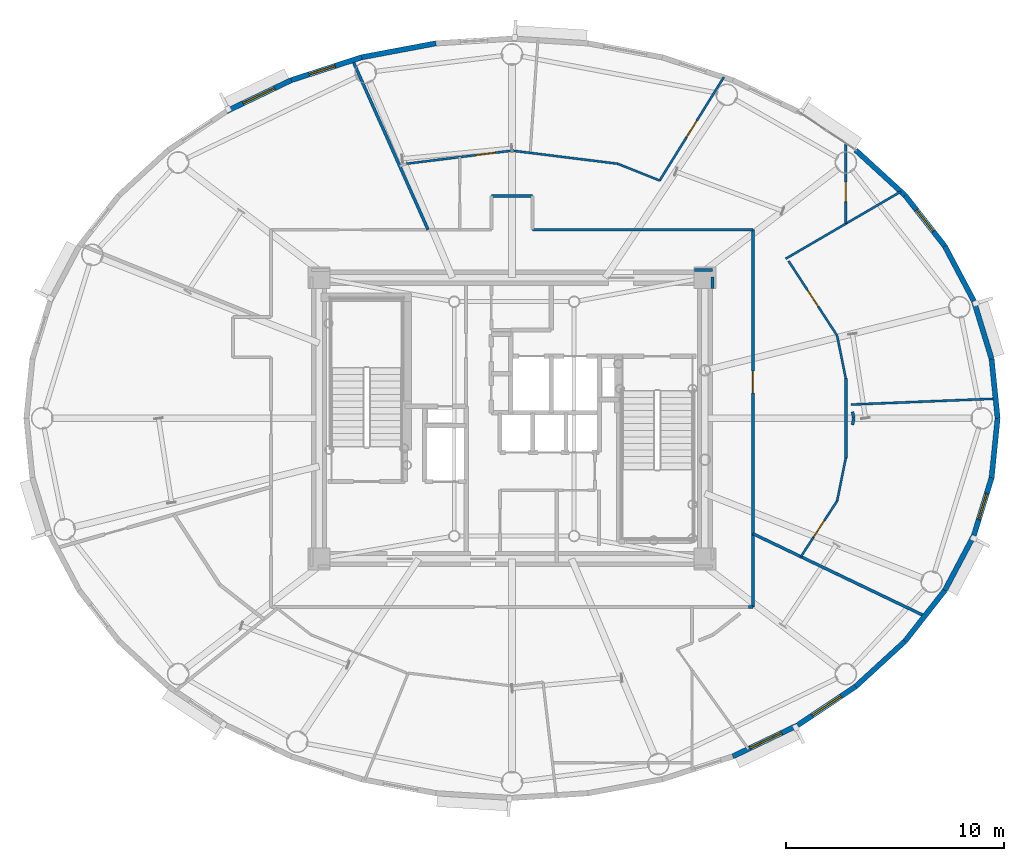
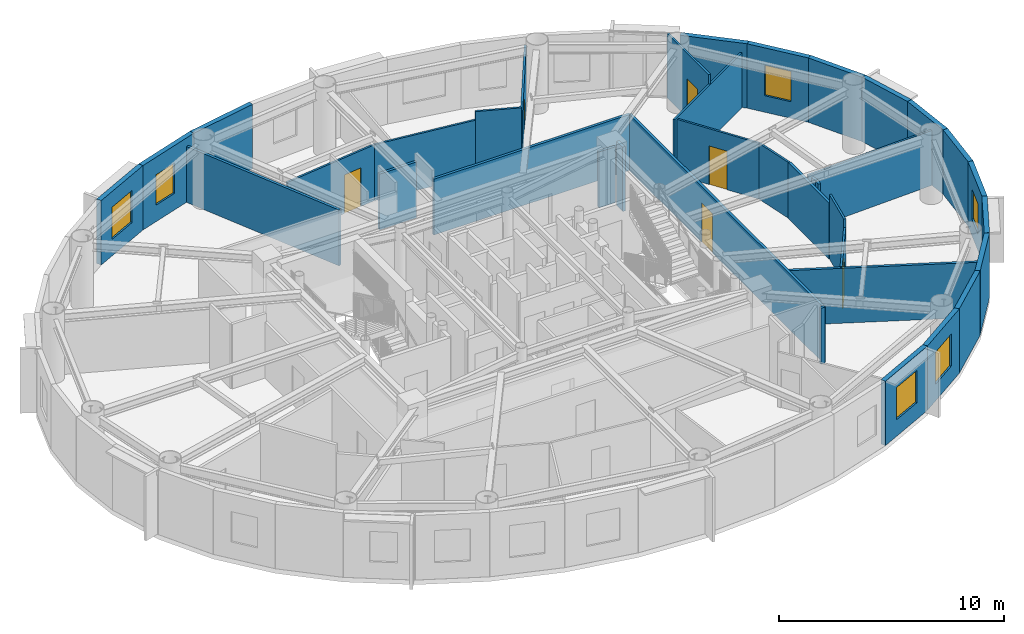
# One storey, part 9 of 17: 37 walls, 6 doors, 6 windows, 12 openings.
"""IFC4 building model written with IfcOpenShell, lengths in metres."""

from ifc_helpers import new_model, si_unit, direction, frame, frame_2d, origin, origin_2d, place, context, subcontext, project, spatial, rectangle, extrude, source, transform, mapped, material, layer, layer_set, type_object, element, fill, save


model = new_model("IFC4")

# Units and contexts
model_context = context("Model", 3, precision=1e-05, world=origin(), true_north=direction((0.0, 1.0)))
body_context = subcontext(model_context, "Body", "Model", "MODEL_VIEW")
ifc_project = project(units=[si_unit("LENGTHUNIT", "METRE"), si_unit("AREAUNIT", "SQUARE_METRE"), si_unit("VOLUMEUNIT", "CUBIC_METRE"), si_unit("PLANEANGLEUNIT", "RADIAN"), si_unit("MASSUNIT", "GRAM", prefix="KILO")], contexts=[model_context])

# Site, building, storey
site_placement = place(None, origin())
site = spatial("IfcSite", under=ifc_project, at=site_placement, CompositionType="ELEMENT")
building_placement = place(site_placement, origin())
building = spatial("IfcBuilding", under=site, at=building_placement, Name="Linh Dai School and Residence Tower", CompositionType="ELEMENT")
storey_placement = place(building_placement, frame((0.0, 0.0, 310.5)))
storey = spatial("IfcBuildingStorey", under=building, at=storey_placement, Name="L77", CompositionType="ELEMENT", Elevation=310.5)

# Walls
ifc_material_1 = material(Name="Precast Concrete B45 (C35/45)", Category="concrete")
ifc_layer_1 = layer(ifc_material_1, 0.239990234375)
ifc_layer_set_1 = layer_set([ifc_layer_1], Name="Precast Concrete B45 (C35/45)")
wall_type_1 = type_object("IfcWallType", Name="EW-TC-240", PredefinedType="SOLIDWALL", material=ifc_layer_set_1)
wall_1_placement = place(storey_placement, frame((58.001708984375, 29.718994140625, 0.0), z_axis=(0.0, 0.0, 1.0), x_axis=(0.099972526841, -0.99499019788, 0.0)))
element("IfcWall", 1, at=wall_1_placement, inside=storey, type_object=wall_type_1, Name="L77 Terracotta Exterior Wall 01", PredefinedType="SOLIDWALL", context=body_context, shape_type="SweptSolid", body=[
    extrude(rectangle(XDim=2.732666015625, YDim=0.239990234375, at=frame_2d((1.3662109375, 0.0))), origin(), (0.0, 0.0, 1.0), 3.5),
])
wall_2_placement = place(storey_placement, frame((57.188232421875, 32.372314453125, 0.0), z_axis=(0.0, 0.0, 1.0), x_axis=(0.2931213403, -0.956075248012, 0.0)))
element("IfcWall", 2, at=wall_2_placement, inside=storey, type_object=wall_type_1, Name="L77 Terracotta Exterior Wall 02", PredefinedType="SOLIDWALL", context=body_context, shape_type="SweptSolid", body=[
    extrude(rectangle(XDim=2.775146484375, YDim=0.239990234375, at=frame_2d((1.3876953125, 0.0))), origin(), (0.0, 0.0, 1.0), 3.5),
])
wall_3_placement = place(storey_placement, frame((55.853759765625, 34.894775390625, 0.0), z_axis=(0.0, 0.0, 1.0), x_axis=(0.467628269026, -0.883925224218, 0.0)))
element("IfcWall", 3, at=wall_3_placement, inside=storey, type_object=wall_type_1, Name="L77 Terracotta Exterior Wall 03", PredefinedType="SOLIDWALL", context=body_context, shape_type="SweptSolid", body=[
    extrude(rectangle(XDim=2.853759765625, YDim=0.239990234375, at=frame_2d((1.4267578125, 0.0))), origin(), (0.0, 0.0, 1.0), 3.5),
])

# Wall, opening, window
wall_4_placement = place(storey_placement, frame((54.0302734375, 37.224609375, 0.0), z_axis=(0.0, 0.0, 1.0), x_axis=(0.616337186556, -0.787482363275, 0.0)))
wall_4 = element("IfcWall", 4, at=wall_4_placement, inside=storey, type_object=wall_type_1, Name="L77 Terracotta Exterior Wall 04", PredefinedType="SOLIDWALL", context=body_context, shape_type="SweptSolid", body=[
    extrude(rectangle(XDim=2.95849609375, YDim=0.239990234375, at=frame_2d((1.479248046875, 0.0))), origin(), (0.0, 0.0, 1.0), 3.5),
])
opening_1_placement = place(wall_4_placement, frame((0.85400390625, 0.0, 0.89990234375)))
opening_1 = element("IfcOpeningElement", 5, at=opening_1_placement, cuts=wall_4, Name="Opening W3", PredefinedType="OPENING", context=body_context, shape_type="SweptSolid", body=[
    extrude(rectangle(XDim=1.25, YDim=1.64990234375, at=origin_2d()), frame((0.625, 0.1298828125, 0.824951171875), z_axis=(0.0, -1.0, 0.0), x_axis=(1.0, 0.0, 0.0)), (0.0, 0.0, 1.0), 0.260009765625),
])
ifc_material_2 = material(Name="Double Low-E Insulated Glazing", Category="glass")
window_type_1 = type_object("IfcWindowType", Name="WN-RES-1250x1650", PartitioningType="SINGLE_PANEL", PredefinedType="WINDOW", material=ifc_material_2)
shared_shape_1 = source(origin(), body_context, "Body", "SweptSolid", [
    extrude(rectangle(XDim=1.25, YDim=1.64990234375, at=origin_2d()), frame((0.625, 0.030029296875, 0.824951171875), z_axis=(0.0, -1.0, 0.0), x_axis=(1.0, 0.0, 0.0)), (0.0, 0.0, 1.0), 0.06005859375),
])
window_1_placement = place(opening_1_placement, origin())
window_1 = element("IfcWindow", 6, at=window_1_placement, inside=storey, type_object=window_type_1, Name="L77 Exterior Window 04.1", OverallHeight=1.64990234375, OverallWidth=1.25, PartitioningType="SINGLE_PANEL", PredefinedType="WINDOW", context=body_context, shape_type="MappedRepresentation", body=[
    mapped(shared_shape_1, transform((0.0, 0.0, 0.0), x_axis=(1.0, 0.0, 0.0), y_axis=(0.0, 1.0, 0.0), z_axis=(0.0, 0.0, 1.0), scale=1.0)),
])
fill(opening_1, window_1)

# Walls
wall_5_placement = place(storey_placement, frame((51.76220703125, 39.30419921875, 0.0), z_axis=(0.0, 0.0, 1.0), x_axis=(0.737068506972, -0.675818034703, 0.0)))
element("IfcWall", 7, at=wall_5_placement, inside=storey, type_object=wall_type_1, Name="L77 Terracotta Exterior Wall 05", PredefinedType="SOLIDWALL", context=body_context, shape_type="SweptSolid", body=[
    extrude(rectangle(XDim=3.0771484375, YDim=0.239990234375, at=frame_2d((1.53857421875, 0.0))), origin(), (0.0, 0.0, 1.0), 3.5),
])
wall_6_placement = place(storey_placement, frame((29.10888671875, 43.560302734375, 0.0), z_axis=(0.0, 0.0, 1.0), x_axis=(0.982782655757, 0.184765395959, 0.0)))
element("IfcWall", 8, at=wall_6_placement, inside=storey, type_object=wall_type_1, Name="L77 Terracotta Exterior Wall 12", PredefinedType="SOLIDWALL", context=body_context, shape_type="SweptSolid", body=[
    extrude(rectangle(XDim=3.4619140625, YDim=0.239990234375, at=frame_2d((1.73095703125, 0.0))), origin(), (0.0, 0.0, 1.0), 3.5),
])

# Wall, opening, window
wall_7_placement = place(storey_placement, frame((25.876953125, 42.51220703125, 0.0), z_axis=(0.0, 0.0, 1.0), x_axis=(0.95123136723, 0.308478339592, 0.0)))
wall_7 = element("IfcWall", 9, at=wall_7_placement, inside=storey, type_object=wall_type_1, Name="L77 Terracotta Exterior Wall 13", PredefinedType="SOLIDWALL", context=body_context, shape_type="SweptSolid", body=[
    extrude(rectangle(XDim=3.397705078125, YDim=0.239990234375, at=frame_2d((1.69873046875, 0.0))), origin(), (0.0, 0.0, 1.0), 3.5),
])
opening_2_placement = place(wall_7_placement, frame((0.86328125, 0.0, 0.89990234375)))
opening_2 = element("IfcOpeningElement", 10, at=opening_2_placement, cuts=wall_7, Name="Opening W3", PredefinedType="OPENING", context=body_context, shape_type="SweptSolid", body=[
    extrude(rectangle(XDim=1.25, YDim=1.64990234375, at=origin_2d()), frame((0.625, 0.1298828125, 0.824951171875), z_axis=(0.0, -1.0, 0.0), x_axis=(1.0, 0.0, 0.0)), (0.0, 0.0, 1.0), 0.260009765625),
])
window_2_placement = place(opening_2_placement, origin())
window_2 = element("IfcWindow", 11, at=window_2_placement, inside=storey, type_object=window_type_1, Name="L77 Exterior Window 13.1", OverallHeight=1.64990234375, OverallWidth=1.25, PartitioningType="SINGLE_PANEL", PredefinedType="WINDOW", context=body_context, shape_type="MappedRepresentation", body=[
    mapped(shared_shape_1, transform((0.0, 0.0, 0.0), x_axis=(1.0, 0.0, 0.0), y_axis=(0.0, 1.0, 0.0), z_axis=(0.0, 0.0, 1.0), scale=1.0)),
])
fill(opening_2, window_2)

wall_8_placement = place(storey_placement, frame((22.8955078125, 41.08154296875, 0.0), z_axis=(0.0, 0.0, 1.0), x_axis=(0.901573741254, 0.43262546051, 0.0)))
wall_8 = element("IfcWall", 12, at=wall_8_placement, inside=storey, type_object=wall_type_1, Name="L77 Terracotta Exterior Wall 14", PredefinedType="SOLIDWALL", context=body_context, shape_type="SweptSolid", body=[
    extrude(rectangle(XDim=3.306884765625, YDim=0.239990234375, at=frame_2d((1.6533203125, 0.0))), origin(), (0.0, 0.0, 1.0), 3.5),
])
opening_3_placement = place(wall_8_placement, frame((0.853515625, 0.0, 0.89990234375)))
opening_3 = element("IfcOpeningElement", 13, at=opening_3_placement, cuts=wall_8, Name="Opening W2", PredefinedType="OPENING", context=body_context, shape_type="SweptSolid", body=[
    extrude(rectangle(XDim=1.60009765625, YDim=1.75, at=origin_2d()), frame((0.800048828125, 0.1298828125, 0.875), z_axis=(0.0, -1.0, 0.0), x_axis=(1.0, 0.0, 0.0)), (0.0, 0.0, 1.0), 0.260009765625),
])
window_type_2 = type_object("IfcWindowType", Name="WN-RES-1600x1750", PartitioningType="DOUBLE_PANEL_VERTICAL", PredefinedType="WINDOW", material=ifc_material_2)
shared_shape_2 = source(origin(), body_context, "Body", "SweptSolid", [
    extrude(rectangle(XDim=1.60009765625, YDim=1.75, at=origin_2d()), frame((0.800048828125, 0.030029296875, 0.875), z_axis=(0.0, -1.0, 0.0), x_axis=(1.0, 0.0, 0.0)), (0.0, 0.0, 1.0), 0.06005859375),
])
window_3_placement = place(opening_3_placement, origin())
window_3 = element("IfcWindow", 14, at=window_3_placement, inside=storey, type_object=window_type_2, Name="L77 Exterior Window 14.1", OverallHeight=1.75, OverallWidth=1.60009765625, PartitioningType="DOUBLE_PANEL_VERTICAL", PredefinedType="WINDOW", context=body_context, shape_type="MappedRepresentation", body=[
    mapped(shared_shape_2, transform((0.0, 0.0, 0.0), x_axis=(1.0, 0.0, 0.0), y_axis=(0.0, 1.0, 0.0), z_axis=(0.0, 0.0, 1.0), scale=1.0)),
])
fill(opening_3, window_3)

wall_9_placement = place(storey_placement, frame((49.1044921875, 12.91845703125, 0.0), z_axis=(0.0, 0.0, 1.0), x_axis=(-0.901573741254, -0.43262546051, 0.0)))
wall_9 = element("IfcWall", 15, at=wall_9_placement, inside=storey, type_object=wall_type_1, Name="L77 Terracotta Exterior Wall 34", PredefinedType="SOLIDWALL", context=body_context, shape_type="SweptSolid", body=[
    extrude(rectangle(XDim=3.306884765625, YDim=0.239990234375, at=frame_2d((1.6533203125, 0.0))), origin(), (0.0, 0.0, 1.0), 3.5),
])
opening_4_placement = place(wall_9_placement, frame((0.81396484375, 0.0, 0.89990234375)))
opening_4 = element("IfcOpeningElement", 16, at=opening_4_placement, cuts=wall_9, Name="Opening W2", PredefinedType="OPENING", context=body_context, shape_type="SweptSolid", body=[
    extrude(rectangle(XDim=1.60009765625, YDim=1.75, at=origin_2d()), frame((0.800048828125, 0.1298828125, 0.875), z_axis=(0.0, -1.0, 0.0), x_axis=(1.0, 0.0, 0.0)), (0.0, 0.0, 1.0), 0.260009765625),
])
window_4_placement = place(opening_4_placement, origin())
window_4 = element("IfcWindow", 17, at=window_4_placement, inside=storey, type_object=window_type_2, Name="L77 Exterior Window 34.1", OverallHeight=1.75, OverallWidth=1.60009765625, PartitioningType="DOUBLE_PANEL_VERTICAL", PredefinedType="WINDOW", context=body_context, shape_type="MappedRepresentation", body=[
    mapped(shared_shape_2, transform((0.0, 0.0, 0.0), x_axis=(1.0, 0.0, 0.0), y_axis=(0.0, 1.0, 0.0), z_axis=(0.0, 0.0, 1.0), scale=1.0)),
])
fill(opening_4, window_4)

wall_10_placement = place(storey_placement, frame((51.76220703125, 14.69580078125, 0.0), z_axis=(0.0, 0.0, 1.0), x_axis=(-0.831250592635, -0.55589787933, 0.0)))
wall_10 = element("IfcWall", 18, at=wall_10_placement, inside=storey, type_object=wall_type_1, Name="L77 Terracotta Exterior Wall 35", PredefinedType="SOLIDWALL", context=body_context, shape_type="SweptSolid", body=[
    extrude(rectangle(XDim=3.197265625, YDim=0.239990234375, at=frame_2d((1.5986328125, 0.0))), origin(), (0.0, 0.0, 1.0), 3.5),
])
opening_5_placement = place(wall_10_placement, frame((0.798583984375, 0.0, 0.89990234375)))
opening_5 = element("IfcOpeningElement", 19, at=opening_5_placement, cuts=wall_10, Name="Opening W2", PredefinedType="OPENING", context=body_context, shape_type="SweptSolid", body=[
    extrude(rectangle(XDim=1.60009765625, YDim=1.75, at=origin_2d()), frame((0.800048828125, 0.1298828125, 0.875), z_axis=(0.0, -1.0, 0.0), x_axis=(1.0, 0.0, 0.0)), (0.0, 0.0, 1.0), 0.260009765625),
])
window_5_placement = place(opening_5_placement, origin())
window_5 = element("IfcWindow", 20, at=window_5_placement, inside=storey, type_object=window_type_2, Name="L77 Exterior Window 35.1", OverallHeight=1.75, OverallWidth=1.60009765625, PartitioningType="DOUBLE_PANEL_VERTICAL", PredefinedType="WINDOW", context=body_context, shape_type="MappedRepresentation", body=[
    mapped(shared_shape_2, transform((0.0, 0.0, 0.0), x_axis=(1.0, 0.0, 0.0), y_axis=(0.0, 1.0, 0.0), z_axis=(0.0, 0.0, 1.0), scale=1.0)),
])
fill(opening_5, window_5)

# Walls
wall_11_placement = place(storey_placement, frame((54.0302734375, 16.775390625, 0.0), z_axis=(0.0, 0.0, 1.0), x_axis=(-0.737068506972, -0.675818034703, 0.0)))
element("IfcWall", 21, at=wall_11_placement, inside=storey, type_object=wall_type_1, Name="L77 Terracotta Exterior Wall 36", PredefinedType="SOLIDWALL", context=body_context, shape_type="SweptSolid", body=[
    extrude(rectangle(XDim=3.0771484375, YDim=0.239990234375, at=frame_2d((1.53857421875, 0.0))), origin(), (0.0, 0.0, 1.0), 3.5),
])
wall_12_placement = place(storey_placement, frame((55.853759765625, 19.105224609375, 0.0), z_axis=(0.0, 0.0, 1.0), x_axis=(-0.616337186556, -0.787482363275, 0.0)))
element("IfcWall", 22, at=wall_12_placement, inside=storey, type_object=wall_type_1, Name="L77 Terracotta Exterior Wall 37", PredefinedType="SOLIDWALL", context=body_context, shape_type="SweptSolid", body=[
    extrude(rectangle(XDim=2.95849609375, YDim=0.239990234375, at=frame_2d((1.479248046875, 0.0))), origin(), (0.0, 0.0, 1.0), 3.5),
])
wall_13_placement = place(storey_placement, frame((57.188232421875, 21.627685546875, 0.0), z_axis=(0.0, 0.0, 1.0), x_axis=(-0.467628269026, -0.883925224218, 0.0)))
element("IfcWall", 23, at=wall_13_placement, inside=storey, type_object=wall_type_1, Name="L77 Terracotta Exterior Wall 38", PredefinedType="SOLIDWALL", context=body_context, shape_type="SweptSolid", body=[
    extrude(rectangle(XDim=2.853759765625, YDim=0.239990234375, at=frame_2d((1.4267578125, 0.0))), origin(), (0.0, 0.0, 1.0), 3.5),
])

# Wall, opening, window
wall_14_placement = place(storey_placement, frame((58.001708984375, 24.281005859375, 0.0), z_axis=(0.0, 0.0, 1.0), x_axis=(-0.2931213403, -0.956075248012, 0.0)))
wall_14 = element("IfcWall", 24, at=wall_14_placement, inside=storey, type_object=wall_type_1, Name="L77 Terracotta Exterior Wall 39", PredefinedType="SOLIDWALL", context=body_context, shape_type="SweptSolid", body=[
    extrude(rectangle(XDim=2.775146484375, YDim=0.239990234375, at=frame_2d((1.3876953125, 0.0))), origin(), (0.0, 0.0, 1.0), 3.5),
])
opening_6_placement = place(wall_14_placement, frame((0.7626953125, 0.0, 0.89990234375)))
opening_6 = element("IfcOpeningElement", 25, at=opening_6_placement, cuts=wall_14, Name="Opening W3", PredefinedType="OPENING", context=body_context, shape_type="SweptSolid", body=[
    extrude(rectangle(XDim=1.25, YDim=1.64990234375, at=origin_2d()), frame((0.625, 0.1298828125, 0.824951171875), z_axis=(0.0, -1.0, 0.0), x_axis=(1.0, 0.0, 0.0)), (0.0, 0.0, 1.0), 0.260009765625),
])
window_6_placement = place(opening_6_placement, origin())
window_6 = element("IfcWindow", 26, at=window_6_placement, inside=storey, type_object=window_type_1, Name="L77 Exterior Window 39.1", OverallHeight=1.64990234375, OverallWidth=1.25, PartitioningType="SINGLE_PANEL", PredefinedType="WINDOW", context=body_context, shape_type="MappedRepresentation", body=[
    mapped(shared_shape_1, transform((0.0, 0.0, 0.0), x_axis=(1.0, 0.0, 0.0), y_axis=(0.0, 1.0, 0.0), z_axis=(0.0, 0.0, 1.0), scale=1.0)),
])
fill(opening_6, window_6)

# Walls
wall_15_placement = place(storey_placement, frame((58.27490234375, 27.0, 0.0), z_axis=(0.0, 0.0, 1.0), x_axis=(-0.099972526841, -0.99499019788, 0.0)))
element("IfcWall", 27, at=wall_15_placement, inside=storey, type_object=wall_type_1, Name="L77 Terracotta Exterior Wall 40", PredefinedType="SOLIDWALL", context=body_context, shape_type="SweptSolid", body=[
    extrude(rectangle(XDim=2.732666015625, YDim=0.239990234375, at=frame_2d((1.3662109375, 0.0))), origin(), (0.0, 0.0, 1.0), 3.5),
])
ifc_material_3 = material(Name="Autoclaved Aerated Concrete Blockwork", Category="masonry")
ifc_layer_2 = layer(ifc_material_3, 0.135009765625)
ifc_layer_set_2 = layer_set([ifc_layer_2], Name="Autoclaved Aerated Concrete Blockwork")
wall_type_2 = type_object("IfcWallType", Name="IW-CORR-135-EI90", PredefinedType="PARTITIONING", material=ifc_layer_set_2)
wall_16_placement = place(storey_placement, frame((28.685546875, 43.428466796875, 0.0), z_axis=(0.0, 0.0, 1.0), x_axis=(0.406736980157, -0.913545307564, 0.0)))
element("IfcWall", 28, at=wall_16_placement, inside=storey, type_object=wall_type_2, Name="L77 Interior Partition Wall 016", PredefinedType="PARTITIONING", context=body_context, shape_type="SweptSolid", body=[
    extrude(rectangle(XDim=8.514404296875, YDim=0.135009765625, at=frame_2d((4.25732421875, 0.0))), origin(), (0.0, 0.0, 1.0), 3.034912109375),
])
wall_17_placement = place(storey_placement, frame((35.050048828125, 37.199951171875, 0.0), z_axis=(0.0, 0.0, 1.0), x_axis=(1.0, 0.0, 0.0)))
element("IfcWall", 29, at=wall_17_placement, inside=storey, type_object=wall_type_2, Name="L77 Interior Partition Wall 036", PredefinedType="PARTITIONING", context=body_context, shape_type="SweptSolid", body=[
    extrude(rectangle(XDim=1.89990234375, YDim=0.135009765625, at=frame_2d((0.949951171875, 0.0))), origin(), (0.0, 0.0, 1.0), 3.034912109375),
])
wall_18_placement = place(storey_placement, frame((36.949951171875, 35.64990234375, 0.0), z_axis=(0.0, 0.0, 1.0), x_axis=(1.0, 0.0, 0.0)))
element("IfcWall", 30, at=wall_18_placement, inside=storey, type_object=wall_type_2, Name="L77 Interior Partition Wall 048", PredefinedType="PARTITIONING", context=body_context, shape_type="SweptSolid", body=[
    extrude(rectangle(XDim=10.10009765625, YDim=0.135009765625, at=frame_2d((5.050048828125, 0.0))), origin(), (0.0, 0.0, 1.0), 3.034912109375),
])
wall_19_placement = place(storey_placement, frame((46.855224609375, 18.35009765625, 0.0), z_axis=(0.0, 0.0, 1.0), x_axis=(1.0, 0.0, 0.0)))
element("IfcWall", 31, at=wall_19_placement, inside=storey, type_object=wall_type_2, Name="L77 Interior Partition Wall 066", PredefinedType="PARTITIONING", context=body_context, shape_type="SweptSolid", body=[
    extrude(rectangle(XDim=0.19482421875, YDim=0.135009765625, at=frame_2d((0.097412109375, 0.0))), origin(), (0.0, 0.0, 1.0), 3.034912109375),
])

# Wall, opening, door
wall_20_placement = place(storey_placement, frame((47.050048828125, 18.35009765625, 0.0), z_axis=(0.0, 0.0, 1.0), x_axis=(0.0, 1.0, 0.0)))
wall_20 = element("IfcWall", 32, at=wall_20_placement, inside=storey, type_object=wall_type_2, Name="L77 Interior Partition Wall 067", PredefinedType="PARTITIONING", context=body_context, shape_type="SweptSolid", body=[
    extrude(rectangle(XDim=17.2998046875, YDim=0.135009765625, at=frame_2d((8.64990234375, 0.0))), origin(), (0.0, 0.0, 1.0), 3.034912109375),
])
opening_7_placement = place(wall_20_placement, frame((9.80810546875, 0.0, 0.0)))
opening_7 = element("IfcOpeningElement", 33, at=opening_7_placement, cuts=wall_20, Name="Opening D03", PredefinedType="OPENING", context=body_context, shape_type="SweptSolid", body=[
    extrude(rectangle(XDim=1.0, YDim=2.14990234375, at=origin_2d()), frame((0.5, 0.07763671875, 1.074951171875), z_axis=(0.0, -1.0, 0.0), x_axis=(1.0, 0.0, 0.0)), (0.0, 0.0, 1.0), 0.155029296875),
])
ifc_material_4 = material(Name="Fire-Rated Solid Timber Entrance Door", Category="wood")
door_type_1 = type_object("IfcDoorType", Name="DR-FLAT-1000x2150-FD60S", OperationType="NOTDEFINED", PredefinedType="DOOR", material=ifc_material_4)
shared_shape_3 = source(origin(), body_context, "Body", "SweptSolid", [
    extrude(rectangle(XDim=1.0, YDim=2.14990234375, at=origin_2d()), frame((0.5, 0.02490234375, 1.074951171875), z_axis=(0.0, -1.0, 0.0), x_axis=(1.0, 0.0, 0.0)), (0.0, 0.0, 1.0), 0.050048828125),
])
door_1_placement = place(opening_7_placement, origin())
door_1 = element("IfcDoor", 34, at=door_1_placement, inside=storey, type_object=door_type_1, Name="L77 U7702 Apartment Entrance Door", OperationType="SINGLE_SWING_RIGHT", OverallHeight=2.14990234375, OverallWidth=1.0, PredefinedType="DOOR", context=body_context, shape_type="MappedRepresentation", body=[
    mapped(shared_shape_3, transform((0.0, 0.0, 0.0), x_axis=(1.0, 0.0, 0.0), y_axis=(0.0, 1.0, 0.0), z_axis=(0.0, 0.0, 1.0), scale=1.0)),
])
fill(opening_7, door_1)

# Walls
wall_21_placement = place(storey_placement, frame((47.050048828125, 21.7060546875, 0.0), z_axis=(0.0, 0.0, 1.0), x_axis=(0.901842087785, -0.432065792096, 0.0)))
element("IfcWall", 35, at=wall_21_placement, inside=storey, type_object=wall_type_2, Name="L77 Interior Partition Wall 068", PredefinedType="PARTITIONING", context=body_context, shape_type="SweptSolid", body=[
    extrude(rectangle(XDim=8.74658203125, YDim=0.135009765625, at=frame_2d((4.373291015625, 0.0))), origin(), (0.0, 0.0, 1.0), 2.985107421875),
])
wall_22_placement = place(storey_placement, frame((45.199951171875, 33.800048828125, 0.0), z_axis=(0.0, 0.0, 1.0), x_axis=(-1.0, 0.0, 0.0)))
element("IfcWall", 36, at=wall_22_placement, inside=storey, type_object=wall_type_2, Name="L77 Interior Partition Wall 079", PredefinedType="PARTITIONING", context=body_context, shape_type="SweptSolid", body=[
    extrude(rectangle(XDim=0.83984375, YDim=0.135009765625, at=frame_2d((0.419921875, 0.0))), origin(), (0.0, 0.0, 1.0), 3.034912109375),
])
wall_23_placement = place(storey_placement, frame((45.199951171875, 32.9599609375, 0.0), z_axis=(0.0, 0.0, 1.0), x_axis=(0.0, 1.0, 0.0)))
element("IfcWall", 37, at=wall_23_placement, inside=storey, type_object=wall_type_2, Name="L77 Interior Partition Wall 086", PredefinedType="PARTITIONING", context=body_context, shape_type="SweptSolid", body=[
    extrude(rectangle(XDim=0.532470703125, YDim=0.135009765625, at=frame_2d((0.26611328125, 0.0))), origin(), (0.0, 0.0, 1.0), 3.5),
])
wall_24_placement = place(storey_placement, frame((51.311279296875, 28.822509765625, 0.0), z_axis=(0.0, 0.0, 1.0), x_axis=(0.0, -1.0, 0.0)))
element("IfcWall", 38, at=wall_24_placement, inside=storey, type_object=wall_type_2, Name="L77 Interior Partition Wall 090", PredefinedType="PARTITIONING", context=body_context, shape_type="SweptSolid", body=[
    extrude(rectangle(XDim=3.64501953125, YDim=0.135009765625, at=frame_2d((1.822509765625, 0.0))), origin(), (0.0, 0.0, 1.0), 3.034912109375),
])
for number, where, z_axis, x_axis, name in (
    (39, (51.618896484375, 26.69775390625, 0.0), (0.0, 0.0, 1.0), (0.197942960462, 0.980213540206, 0.0), "L77 Interior Partition Wall 091"),
    (40, (51.679931640625, 27.0, 0.0), (0.0, 0.0, 1.0), (-0.197942960462, 0.980213540206, 0.0), "L77 Interior Partition Wall 092"),
):
    element("IfcWall", number, at=place(storey_placement, frame(where, z_axis=z_axis, x_axis=x_axis)), inside=storey, type_object=wall_type_2, Name=name, PredefinedType="PARTITIONING", context=body_context, shape_type="SweptSolid", body=[
        extrude(rectangle(XDim=0.308349609375, YDim=0.135009765625, at=frame_2d((0.154296875, 0.0))), origin(), (0.0, 0.0, 1.0), 3.034912109375),
    ])

# Wall, opening, door
ifc_material_5 = material(Name="Gypsum Plasterboard Acoustic Stud Partition", Category="masonry")
ifc_layer_3 = layer(ifc_material_5, 0.10009765625)
ifc_layer_set_3 = layer_set([ifc_layer_3], Name="Gypsum Plasterboard Acoustic Stud Partition")
wall_type_3 = type_object("IfcWallType", Name="IW-UNIT-100", PredefinedType="PARTITIONING", material=ifc_layer_set_3)
wall_25_placement = place(storey_placement, frame((31.154541015625, 38.677001953125, 0.0), z_axis=(0.0, 0.0, 1.0), x_axis=(0.99239360053, 0.123105408601, 0.0)))
wall_25 = element("IfcWall", 41, at=wall_25_placement, inside=storey, type_object=wall_type_3, Name="L77 Interior Partition Wall 021", PredefinedType="PARTITIONING", context=body_context, shape_type="SweptSolid", body=[
    extrude(rectangle(XDim=4.882568359375, YDim=0.10009765625, at=frame_2d((2.44140625, 0.0))), origin(), (0.0, 0.0, 1.0), 3.034912109375),
])
opening_8_placement = place(wall_25_placement, frame((3.202880859375, 0.0, 0.0)))
opening_8 = element("IfcOpeningElement", 42, at=opening_8_placement, cuts=wall_25, Name="Opening D05", PredefinedType="OPENING", context=body_context, shape_type="SweptSolid", body=[
    extrude(rectangle(XDim=0.89990234375, YDim=2.10009765625, at=origin_2d()), frame((0.449951171875, 0.06005859375, 1.050048828125), z_axis=(0.0, -1.0, 0.0), x_axis=(1.0, 0.0, 0.0)), (0.0, 0.0, 1.0), 0.1201171875),
])
ifc_material_6 = material(Name="Engineered Timber Internal Door", Category="wood")
door_type_2 = type_object("IfcDoorType", Name="DR-INT-900x2100", OperationType="NOTDEFINED", PredefinedType="DOOR", material=ifc_material_6)
shared_shape_4 = source(origin(), body_context, "Body", "SweptSolid", [
    extrude(rectangle(XDim=0.89990234375, YDim=2.10009765625, at=origin_2d()), frame((0.449951171875, 0.02490234375, 1.050048828125), z_axis=(0.0, -1.0, 0.0), x_axis=(1.0, 0.0, 0.0)), (0.0, 0.0, 1.0), 0.050048828125),
])
door_2_placement = place(opening_8_placement, origin())
door_2 = element("IfcDoor", 43, at=door_2_placement, inside=storey, type_object=door_type_2, Name="L77 Apartment U7702 Bedroom 4 Door", OperationType="SINGLE_SWING_RIGHT", OverallHeight=2.10009765625, OverallWidth=0.89990234375, PredefinedType="DOOR", context=body_context, shape_type="MappedRepresentation", body=[
    mapped(shared_shape_4, transform((0.0, 0.0, 0.0), x_axis=(1.0, 0.0, 0.0), y_axis=(0.0, 1.0, 0.0), z_axis=(0.0, 0.0, 1.0), scale=1.0)),
])
fill(opening_8, door_2)

# Walls
wall_26_placement = place(storey_placement, frame((36.0, 39.278076171875, 0.0), z_axis=(0.0, 0.0, 1.0), x_axis=(0.992394358254, -0.123099300182, 0.0)))
element("IfcWall", 44, at=wall_26_placement, inside=storey, type_object=wall_type_3, Name="L77 Interior Partition Wall 045", PredefinedType="PARTITIONING", context=body_context, shape_type="SweptSolid", body=[
    extrude(rectangle(XDim=4.8828125, YDim=0.10009765625, at=frame_2d((2.44140625, 0.0))), origin(), (0.0, 0.0, 1.0), 3.034912109375),
])
wall_27_placement = place(storey_placement, frame((40.845458984375, 38.677001953125, 0.0), z_axis=(0.0, 0.0, 1.0), x_axis=(0.928792693453, -0.370599693184, 0.0)))
element("IfcWall", 45, at=wall_27_placement, inside=storey, type_object=wall_type_3, Name="L77 Interior Partition Wall 059", PredefinedType="PARTITIONING", context=body_context, shape_type="SweptSolid", body=[
    extrude(rectangle(XDim=2.07568359375, YDim=0.10009765625, at=frame_2d((1.037841796875, 0.0))), origin(), (0.0, 0.0, 1.0), 3.5),
])

# Wall, opening, door
wall_28_placement = place(storey_placement, frame((42.7734375, 37.90771484375, 0.0), z_axis=(0.0, 0.0, 1.0), x_axis=(0.527527282505, 0.849538089913, 0.0)))
wall_28 = element("IfcWall", 46, at=wall_28_placement, inside=storey, type_object=wall_type_3, Name="L77 Interior Partition Wall 062", PredefinedType="PARTITIONING", context=body_context, shape_type="SweptSolid", body=[
    extrude(rectangle(XDim=5.580810546875, YDim=0.10009765625, at=frame_2d((2.79052734375, 0.0))), origin(), (0.0, 0.0, 1.0), 2.985107421875),
])
opening_9_placement = place(wall_28_placement, frame((2.34033203125, 0.0, 0.0)))
opening_9 = element("IfcOpeningElement", 47, at=opening_9_placement, cuts=wall_28, Name="Opening D05", PredefinedType="OPENING", context=body_context, shape_type="SweptSolid", body=[
    extrude(rectangle(XDim=0.89990234375, YDim=2.10009765625, at=origin_2d()), frame((0.449951171875, 0.06005859375, 1.050048828125), z_axis=(0.0, -1.0, 0.0), x_axis=(1.0, 0.0, 0.0)), (0.0, 0.0, 1.0), 0.1201171875),
])
door_3_placement = place(opening_9_placement, origin())
door_3 = element("IfcDoor", 48, at=door_3_placement, inside=storey, type_object=door_type_2, Name="L77 Apartment U7702 Principal Bedroom 3 Door", OperationType="SINGLE_SWING_LEFT", OverallHeight=2.10009765625, OverallWidth=0.89990234375, PredefinedType="DOOR", context=body_context, shape_type="MappedRepresentation", body=[
    mapped(shared_shape_4, transform((0.0, 0.0, 0.0), x_axis=(1.0, 0.0, 0.0), y_axis=(0.0, 1.0, 0.0), z_axis=(0.0, 0.0, 1.0), scale=1.0)),
])
fill(opening_9, door_3)

# Wall
wall_29_placement = place(storey_placement, frame((48.554931640625, 34.319091796875, 0.0), z_axis=(0.0, 0.0, 1.0), x_axis=(0.863923501635, 0.503623056783, 0.0)))
element("IfcWall", 49, at=wall_29_placement, inside=storey, type_object=wall_type_3, Name="L77 Interior Partition Wall 069", PredefinedType="PARTITIONING", context=body_context, shape_type="SweptSolid", body=[
    extrude(rectangle(XDim=6.1220703125, YDim=0.10009765625, at=frame_2d((3.06103515625, 0.0))), origin(), (0.0, 0.0, 1.0), 2.985107421875),
])

# Wall, opening, door
wall_30_placement = place(storey_placement, frame((48.685302734375, 34.216796875, 0.0), z_axis=(0.0, 0.0, 1.0), x_axis=(0.545435886628, -0.838152547916, 0.0)))
wall_30 = element("IfcWall", 50, at=wall_30_placement, inside=storey, type_object=wall_type_3, Name="L77 Interior Partition Wall 070", PredefinedType="PARTITIONING", context=body_context, shape_type="SweptSolid", body=[
    extrude(rectangle(XDim=4.08349609375, YDim=0.10009765625, at=frame_2d((2.041748046875, 0.0))), origin(), (0.0, 0.0, 1.0), 3.034912109375),
])
opening_10_placement = place(wall_30_placement, frame((1.591796875, 0.0, 0.0)))
opening_10 = element("IfcOpeningElement", 51, at=opening_10_placement, cuts=wall_30, Name="Opening D05", PredefinedType="OPENING", context=body_context, shape_type="SweptSolid", body=[
    extrude(rectangle(XDim=0.89990234375, YDim=2.10009765625, at=origin_2d()), frame((0.449951171875, 0.06005859375, 1.050048828125), z_axis=(0.0, -1.0, 0.0), x_axis=(1.0, 0.0, 0.0)), (0.0, 0.0, 1.0), 0.1201171875),
])
door_4_placement = place(opening_10_placement, origin())
door_4 = element("IfcDoor", 52, at=door_4_placement, inside=storey, type_object=door_type_2, Name="L77 Apartment U7702 Principal Bedroom 2 Door", OperationType="SINGLE_SWING_RIGHT", OverallHeight=2.10009765625, OverallWidth=0.89990234375, PredefinedType="DOOR", context=body_context, shape_type="MappedRepresentation", body=[
    mapped(shared_shape_4, transform((0.0, 0.0, 0.0), x_axis=(1.0, 0.0, 0.0), y_axis=(0.0, 1.0, 0.0), z_axis=(0.0, 0.0, 1.0), scale=1.0)),
])
fill(opening_10, door_4)

wall_31_placement = place(storey_placement, frame((49.25048828125, 20.65185546875, 0.0), z_axis=(0.0, 0.0, 1.0), x_axis=(0.54545856642, 0.838137788385, 0.0)))
wall_31 = element("IfcWall", 53, at=wall_31_placement, inside=storey, type_object=wall_type_3, Name="L77 Interior Partition Wall 071", PredefinedType="PARTITIONING", context=body_context, shape_type="SweptSolid", body=[
    extrude(rectangle(XDim=3.047119140625, YDim=0.10009765625, at=frame_2d((1.5234375, 0.0))), origin(), (0.0, 0.0, 1.0), 3.034912109375),
])
opening_11_placement = place(wall_31_placement, frame((1.073486328125, 0.0, 0.0)))
opening_11 = element("IfcOpeningElement", 54, at=opening_11_placement, cuts=wall_31, Name="Opening D05", PredefinedType="OPENING", context=body_context, shape_type="SweptSolid", body=[
    extrude(rectangle(XDim=0.89990234375, YDim=2.10009765625, at=origin_2d()), frame((0.449951171875, 0.06005859375, 1.050048828125), z_axis=(0.0, -1.0, 0.0), x_axis=(1.0, 0.0, 0.0)), (0.0, 0.0, 1.0), 0.1201171875),
])
door_5_placement = place(opening_11_placement, origin())
door_5 = element("IfcDoor", 55, at=door_5_placement, inside=storey, type_object=door_type_2, Name="L77 Apartment U7702 Principal Bedroom 1 Door", OperationType="SINGLE_SWING_LEFT", OverallHeight=2.10009765625, OverallWidth=0.89990234375, PredefinedType="DOOR", context=body_context, shape_type="MappedRepresentation", body=[
    mapped(shared_shape_4, transform((0.0, 0.0, 0.0), x_axis=(1.0, 0.0, 0.0), y_axis=(0.0, 1.0, 0.0), z_axis=(0.0, 0.0, 1.0), scale=1.0)),
])
fill(opening_11, door_5)

# Walls
wall_32_placement = place(storey_placement, frame((50.91259765625, 23.205810546875, 0.0), z_axis=(0.0, 0.0, 1.0), x_axis=(0.198192944621, 0.980163025574, 0.0)))
element("IfcWall", 56, at=wall_32_placement, inside=storey, type_object=wall_type_3, Name="L77 Interior Partition Wall 072", PredefinedType="PARTITIONING", context=body_context, shape_type="SweptSolid", body=[
    extrude(rectangle(XDim=2.011474609375, YDim=0.10009765625, at=frame_2d((1.005859375, 0.0))), origin(), (0.0, 0.0, 1.0), 3.5),
])
wall_33_placement = place(storey_placement, frame((50.91259765625, 30.794189453125, 0.0), z_axis=(0.0, 0.0, 1.0), x_axis=(0.198192944621, -0.980163025574, 0.0)))
element("IfcWall", 57, at=wall_33_placement, inside=storey, type_object=wall_type_3, Name="L77 Interior Partition Wall 073", PredefinedType="PARTITIONING", context=body_context, shape_type="SweptSolid", body=[
    extrude(rectangle(XDim=2.011474609375, YDim=0.10009765625, at=frame_2d((1.005859375, 0.0))), origin(), (0.0, 0.0, 1.0), 3.034912109375),
])

# Wall, opening, door
wall_34_placement = place(storey_placement, frame((51.311279296875, 35.926025390625, 0.0), z_axis=(0.0, 0.0, 1.0), x_axis=(0.0, 1.0, 0.0)))
wall_34 = element("IfcWall", 58, at=wall_34_placement, inside=storey, type_object=wall_type_3, Name="L77 Interior Partition Wall 074", PredefinedType="PARTITIONING", context=body_context, shape_type="SweptSolid", body=[
    extrude(rectangle(XDim=3.685546875, YDim=0.10009765625, at=frame_2d((1.8427734375, 0.0))), origin(), (0.0, 0.0, 1.0), 3.5),
])
opening_12_placement = place(wall_34_placement, frame((1.010986328125, 0.0, 0.0)))
opening_12 = element("IfcOpeningElement", 59, at=opening_12_placement, cuts=wall_34, Name="Opening D05", PredefinedType="OPENING", context=body_context, shape_type="SweptSolid", body=[
    extrude(rectangle(XDim=0.89990234375, YDim=2.10009765625, at=origin_2d()), frame((0.449951171875, 0.06005859375, 1.050048828125), z_axis=(0.0, -1.0, 0.0), x_axis=(1.0, 0.0, 0.0)), (0.0, 0.0, 1.0), 0.1201171875),
])
door_6_placement = place(opening_12_placement, origin())
door_6 = element("IfcDoor", 60, at=door_6_placement, inside=storey, type_object=door_type_2, Name="L77 Apartment U7702 Kitchen Door", OperationType="SINGLE_SWING_RIGHT", OverallHeight=2.10009765625, OverallWidth=0.89990234375, PredefinedType="DOOR", context=body_context, shape_type="MappedRepresentation", body=[
    mapped(shared_shape_4, transform((0.0, 0.0, 0.0), x_axis=(1.0, 0.0, 0.0), y_axis=(0.0, 1.0, 0.0), z_axis=(0.0, 0.0, 1.0), scale=1.0)),
])
fill(opening_12, door_6)

# Wall
wall_35_placement = place(storey_placement, frame((51.552490234375, 27.63037109375, 0.0), z_axis=(0.0, 0.0, 1.0), x_axis=(0.999179444864, 0.040502308109, 0.0)))
element("IfcWall", 61, at=wall_35_placement, inside=storey, type_object=wall_type_3, Name="L77 Interior Partition Wall 075", PredefinedType="PARTITIONING", context=body_context, shape_type="SweptSolid", body=[
    extrude(rectangle(XDim=6.642578125, YDim=0.10009765625, at=frame_2d((3.3212890625, 0.0))), origin(), (0.0, 0.0, 1.0), 2.985107421875),
])

save(model, "model.ifc")
